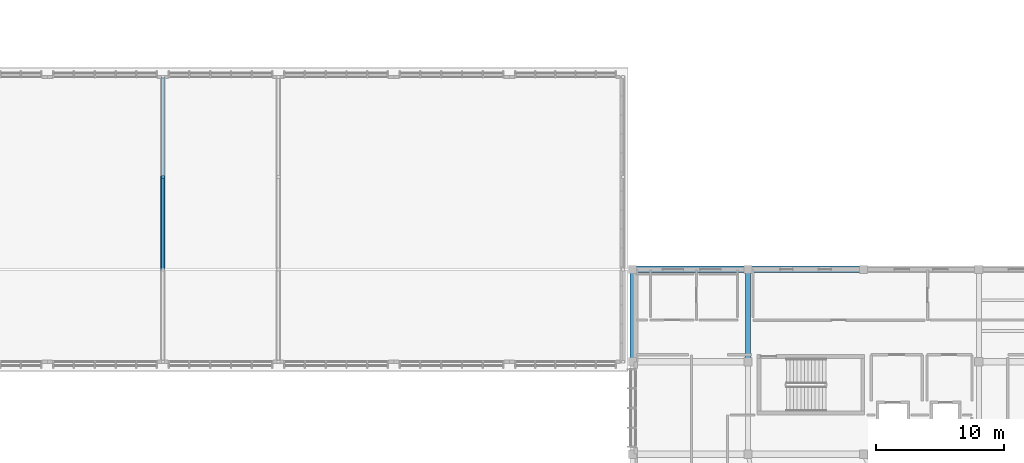
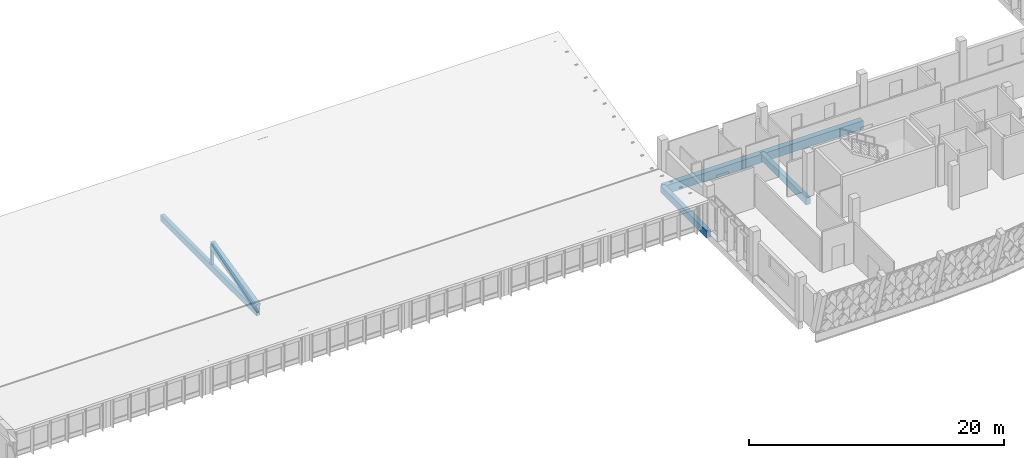
# One storey, part 57 of 182: 4 beams, 4 members.
"""IFC4 building model written with IfcOpenShell, lengths in metres."""

from ifc_helpers import new_model, si_unit, direction, frame, origin, origin_2d, place, context, subcontext, project, spatial, rectangle, extrude, material, material_profile, profile_set, type_object, element, save


model = new_model("IFC4")

# Units and contexts
model_context = context("Model", 3, precision=1e-05, world=origin(), true_north=direction((0.0, 1.0)))
body_context = subcontext(model_context, "Body", "Model", "MODEL_VIEW")
ifc_project = project(units=[si_unit("LENGTHUNIT", "METRE"), si_unit("AREAUNIT", "SQUARE_METRE"), si_unit("VOLUMEUNIT", "CUBIC_METRE"), si_unit("PLANEANGLEUNIT", "RADIAN"), si_unit("MASSUNIT", "GRAM", prefix="KILO")], contexts=[model_context])

# Site, building, storey
site_placement = place(None, origin())
site = spatial("IfcSite", under=ifc_project, at=site_placement, CompositionType="ELEMENT")
building_placement = place(site_placement, origin())
building = spatial("IfcBuilding", under=site, at=building_placement, Name="Chiffa Square Polytechnic", CompositionType="ELEMENT")
storey_placement = place(building_placement, frame((0.0, 0.0, 9.60009765625)))
storey = spatial("IfcBuildingStorey", under=building, at=storey_placement, Name="L02", CompositionType="ELEMENT", Elevation=9.60009765625)

# Beams
ifc_material_1 = material(Name="Concrete C35/45", Category="concrete")
ifc_material_profile_1 = material_profile(ifc_material_1, rectangle(XDim=0.39990234375, YDim=0.64990234375, at=origin_2d()), Name="RC 400x650")
ifc_profile_set_1 = profile_set([ifc_material_profile_1], Name="Concrete C35/45")
beam_type_1 = type_object("IfcBeamType", Name="BM-RC-400X650", PredefinedType="BEAM", material=ifc_profile_set_1)
for number, where, z_axis, x_axis, name in (
    (1, (112.199951171875, 21.60009765625, -0.64501953125), (0.0, 1.0, 0.0), (-1.0, 0.0, 0.0), "Primary floor girder BM-V1-L02-Y-1122-0216"),
    (2, (121.199951171875, 21.60009765625, -0.64501953125), (0.0, 1.0, 0.0), (-1.0, 0.0, 0.0), "Primary floor girder BM-V1-L02-Y-1212-0216"),
):
    element("IfcBeam", number, at=place(storey_placement, frame(where, z_axis=z_axis, x_axis=x_axis)), inside=storey, type_object=beam_type_1, Name=name, PredefinedType="BEAM", context=body_context, shape_type="SweptSolid", body=[
        extrude(rectangle(XDim=0.39990234375, YDim=0.64990234375, at=origin_2d()), origin(), (0.0, 0.0, 1.0), 7.199951171875),
    ])
ifc_material_2 = material(Name="Concrete C40/50", Category="concrete")
ifc_material_profile_2 = material_profile(ifc_material_2, rectangle(XDim=0.5, YDim=0.800048828125, at=origin_2d()), Name="RC 500x800")
ifc_profile_set_2 = profile_set([ifc_material_profile_2], Name="Concrete C40/50")
beam_type_2 = type_object("IfcBeamType", Name="BM-RC-500X800", PredefinedType="BEAM", material=ifc_profile_set_2)
for number, where, z_axis, x_axis, name in (
    (3, (112.199951171875, 28.800048828125, -0.72021484375), (1.0, 0.0, 0.0), (0.0, 1.0, 0.0), "Primary floor girder BM-V1-L02-X-1122-0288"),
    (4, (121.199951171875, 28.800048828125, -0.72021484375), (1.0, 0.0, 0.0), (0.0, 1.0, 0.0), "Primary floor girder BM-V1-L02-X-1212-0288"),
):
    element("IfcBeam", number, at=place(storey_placement, frame(where, z_axis=z_axis, x_axis=x_axis)), inside=storey, type_object=beam_type_2, Name=name, PredefinedType="BEAM", context=body_context, shape_type="SweptSolid", body=[
        extrude(rectangle(XDim=0.5, YDim=0.800048828125, at=origin_2d()), origin(), (0.0, 0.0, 1.0), 9.0),
    ])

# Members
ifc_material_3 = material(Name="Glulam GL32c", Category="wood")
ifc_material_profile_3 = material_profile(ifc_material_3, rectangle(XDim=0.320068359375, YDim=0.60009765625, at=origin_2d()), Name="GL32c 320x600")
ifc_profile_set_3 = profile_set([ifc_material_profile_3], Name="Glulam GL32c")
member_type_1 = type_object("IfcMemberType", Name="MEM-CHORD-GL320", PredefinedType="CHORD", material=ifc_profile_set_3)
member_1_placement = place(storey_placement, frame((75.60009765625, 28.800048828125, 0.2998046875), z_axis=(0.0, 1.0, 0.0), x_axis=(-1.0, 0.0, 0.0)))
element("IfcMember", 5, at=member_1_placement, inside=storey, type_object=member_type_1, Name="Refectory butterfly bottom chord TCB-V4-N04", PredefinedType="CHORD", context=body_context, shape_type="SweptSolid", body=[
    extrude(rectangle(XDim=0.320068359375, YDim=0.60009765625, at=origin_2d()), origin(), (0.0, 0.0, 1.0), 15.0),
])
ifc_material_profile_4 = material_profile(ifc_material_3, rectangle(XDim=0.360107421875, YDim=0.719970703125, at=origin_2d()), Name="GL32c 360x720")
ifc_profile_set_4 = profile_set([ifc_material_profile_4], Name="Glulam GL32c")
member_type_2 = type_object("IfcMemberType", Name="MEM-CHORD-GL360", PredefinedType="CHORD", material=ifc_profile_set_4)
member_2_placement = place(storey_placement, frame((75.60009765625, 28.800048828125, 0.7998046875), z_axis=(0.0, 0.974373930506, 0.224934309412), x_axis=(-1.0, 0.0, 0.0)))
element("IfcMember", 6, at=member_2_placement, inside=storey, type_object=member_type_2, Name="Refectory butterfly top chord TCT-V4-N04-1", PredefinedType="CHORD", context=body_context, shape_type="SweptSolid", body=[
    extrude(rectangle(XDim=0.360107421875, YDim=0.719970703125, at=origin_2d()), origin(), (0.0, 0.0, 1.0), 7.389404296875),
])
ifc_material_4 = material(Name="Glulam GL28h", Category="wood")
ifc_material_profile_5 = material_profile(ifc_material_4, rectangle(XDim=0.179931640625, YDim=0.179931640625, at=origin_2d()), Name="GL28h 180x180")
ifc_profile_set_5 = profile_set([ifc_material_profile_5], Name="Glulam GL28h")
member_type_3 = type_object("IfcMemberType", Name="MEM-WEB-GL180", PredefinedType="MEMBER", material=ifc_profile_set_5)
member_3_placement = place(storey_placement, frame((75.60009765625, 28.800048828125, 0.2998046875), z_axis=(0.0, 0.957748486613, 0.287607086821), x_axis=(-1.0, 0.0, 0.0)))
element("IfcMember", 7, at=member_3_placement, inside=storey, type_object=member_type_3, Name="Refectory butterfly diagonal TWD-V4-N04-1", PredefinedType="MEMBER", context=body_context, shape_type="SweptSolid", body=[
    extrude(rectangle(XDim=0.179931640625, YDim=0.179931640625, at=origin_2d()), origin(), (0.0, 0.0, 1.0), 7.517578125),
])
ifc_material_profile_6 = material_profile(ifc_material_4, rectangle(XDim=0.219970703125, YDim=0.219970703125, at=origin_2d()), Name="GL28h 220x220")
ifc_profile_set_6 = profile_set([ifc_material_profile_6], Name="Glulam GL28h")
member_type_4 = type_object("IfcMemberType", Name="MEM-WEB-GL220", PredefinedType="MEMBER", material=ifc_profile_set_6)
member_4_placement = place(storey_placement, frame((75.60009765625, 36.0, 0.2998046875), z_axis=(0.0, 0.0, 1.0), x_axis=(1.0, 0.0, 0.0)))
element("IfcMember", 8, at=member_4_placement, inside=storey, type_object=member_type_4, Name="Refectory butterfly mid vertical TWV-V4-N04-M", PredefinedType="MEMBER", context=body_context, shape_type="SweptSolid", body=[
    extrude(rectangle(XDim=0.219970703125, YDim=0.219970703125, at=origin_2d()), origin(), (0.0, 0.0, 1.0), 2.162109375),
])

save(model, "model.ifc")
